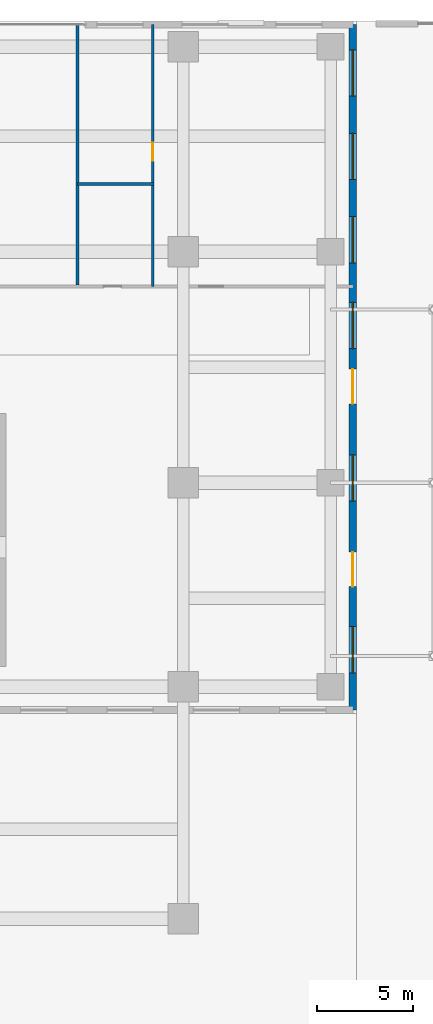
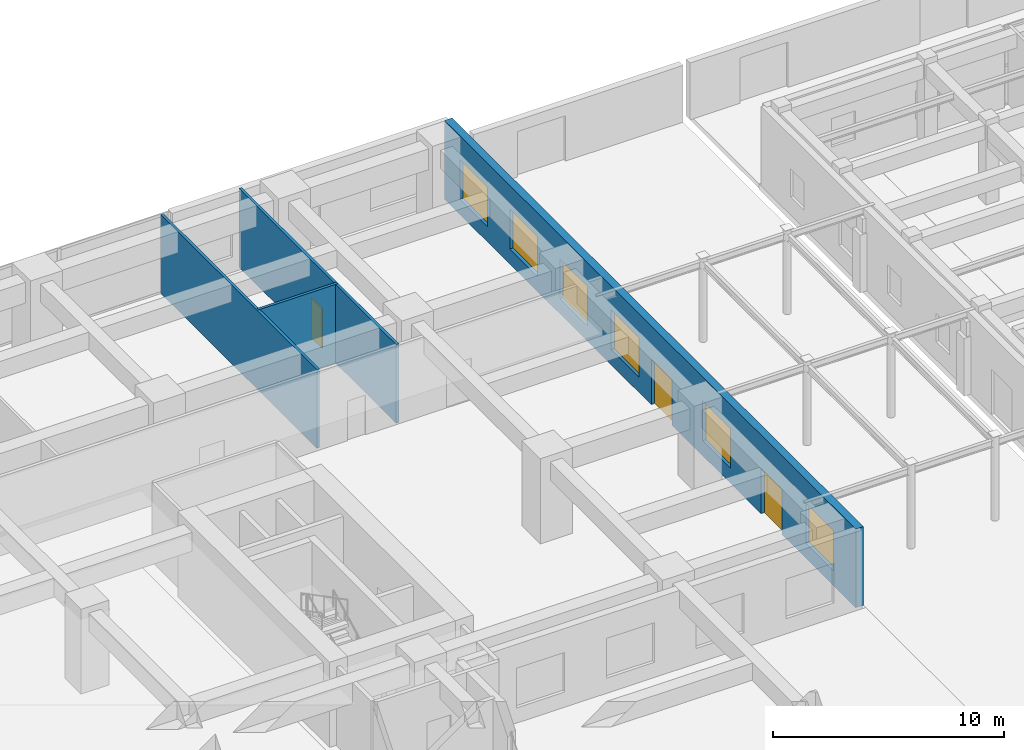
# One storey, part 26 of 39: 6 windows, 5 walls, 3 doors, 9 openings.
"""IFC4 building model written with IfcOpenShell, lengths in metres."""

import ifcopenshell
import ifcopenshell.guid

model = None  # the IFC model being written
_history = None  # IfcOwnerHistory: only IFC2X3 demands one
_inside = {}  # id of a spatial element -> (the spatial element, [elements in it])
_under = {}  # id of a project, library or spatial element -> (it, [spatial elements below it])
_declared = {}  # id of a project -> (the project, [libraries it declares])
_typed = {}  # id of a type object -> (the type object, [elements of that type])
_made_of = {}  # id of a material, layer set ... -> (it, [elements and type objects made of it])


def new_model(schema):
    """Start an empty IFC model of exactly this schema.

    Asked for "IFC4X3", IfcOpenShell would pick the latest addendum, in which some entities
    have other attributes; the version numbers below select the first issue.
    IFC2X3 requires an IfcOwnerHistory on every rooted entity: one is made here for all.
    """
    global model, _history
    if schema == "IFC4X3":
        model = ifcopenshell.file(schema_version=(4, 3, 0, 0))
    else:
        model = ifcopenshell.file(schema=schema)
    _inside.clear()
    _under.clear()
    _declared.clear()
    _typed.clear()
    _made_of.clear()
    _history = None
    if model.schema == "IFC2X3":
        org = make("IfcOrganization", Name="unknown")
        user = make(
            "IfcPersonAndOrganization",
            ThePerson=make("IfcPerson", FamilyName="unknown"),
            TheOrganization=org,
        )
        app = make(
            "IfcApplication",
            ApplicationDeveloper=org,
            Version="unknown",
            ApplicationFullName="unknown",
            ApplicationIdentifier="unknown",
        )
        _history = make(
            "IfcOwnerHistory",
            OwningUser=user,
            OwningApplication=app,
            ChangeAction="ADDED",
            CreationDate=0,
        )
    return model


def make(cls, **values):
    """One entity of the class cls with the attributes given. An attribute that is None is left unset."""
    return model.create_entity(
        cls, **{name: value for name, value in values.items() if value is not None}
    )


def rooted(cls, **values):
    """An entity with a GlobalId (a new one), such as an element, a storey or a relation."""
    return make(cls, GlobalId=ifcopenshell.guid.new(), OwnerHistory=_history, **values)


def si_unit(unit_type, name, prefix=None):
    """IfcSIUnit, for example si_unit("LENGTHUNIT", "METRE", prefix="MILLI")."""
    return make("IfcSIUnit", UnitType=unit_type, Prefix=prefix, Name=name)


def assignment(units):
    """IfcUnitAssignment: the units of a project."""
    return None if units is None else make("IfcUnitAssignment", Units=units)


def point(xyz):
    """IfcCartesianPoint."""
    return None if xyz is None else make("IfcCartesianPoint", Coordinates=xyz)


def direction(xyz):
    """IfcDirection."""
    return None if xyz is None else make("IfcDirection", DirectionRatios=xyz)


def frame(location, z_axis=None, x_axis=None):
    """IfcAxis2Placement3D, a coordinate frame: its origin and axes. An axis left out is left unset."""
    return make(
        "IfcAxis2Placement3D",
        Location=point(location),
        Axis=direction(z_axis),
        RefDirection=direction(x_axis),
    )


def frame_2d(location, x_axis=None):
    """IfcAxis2Placement2D, a coordinate frame in the plane: its origin and x axis."""
    return make(
        "IfcAxis2Placement2D", Location=point(location), RefDirection=direction(x_axis)
    )


def origin():
    """The frame at (0, 0, 0) with its axes left unset."""
    return frame((0.0, 0.0, 0.0))


def place(relative_to, where):
    """IfcLocalPlacement: puts the frame where relative to a parent placement (None: the world)."""
    return make(
        "IfcLocalPlacement", PlacementRelTo=relative_to, RelativePlacement=where
    )


def context(
    kind, dimensions, precision=None, world=None, true_north=None, identifier=None
):
    """IfcGeometricRepresentationContext, for example the 3D "Model" context."""
    return make(
        "IfcGeometricRepresentationContext",
        ContextIdentifier=identifier,
        ContextType=kind,
        CoordinateSpaceDimension=dimensions,
        Precision=precision,
        WorldCoordinateSystem=world,
        TrueNorth=true_north,
    )


def subcontext(parent, identifier, kind, view, scale=None):
    """IfcGeometricRepresentationSubContext, for example "Body" below "Model"."""
    return make(
        "IfcGeometricRepresentationSubContext",
        ContextIdentifier=identifier,
        ContextType=kind,
        ParentContext=parent,
        TargetScale=scale,
        TargetView=view,
    )


def project(units=None, contexts=None):
    """IfcProject with its units and contexts."""
    return rooted(
        "IfcProject",
        Name="project",
        RepresentationContexts=contexts,
        UnitsInContext=assignment(units),
    )


def spatial(cls, under=None, at=None, **own):
    """A site, building, storey or space (cls), placed at a placement, below another one or the project."""
    s = rooted(cls, ObjectPlacement=at, **own)
    if under is not None:
        _under.setdefault(under.id(), (under, []))[1].append(s)
    return s


def profile(cls, at=None, kind="AREA", **sizes):
    """A parametric profile (cls). Its sizes go by their IFC names, for example OverallWidth=200.0."""
    return make(cls, ProfileType=kind, Position=at, **sizes)


def rectangle(**sizes):
    """IfcRectangleProfileDef."""
    return profile("IfcRectangleProfileDef", **sizes)


def extrude(swept, where, along, depth):
    """IfcExtrudedAreaSolid: the profile swept, set in the frame where, extruded along a direction by depth."""
    return make(
        "IfcExtrudedAreaSolid",
        SweptArea=swept,
        Position=where,
        ExtrudedDirection=direction(along),
        Depth=depth,
    )


def shape(context_of_items, identifier, shape_type, items):
    """IfcShapeRepresentation: the items that make up one representation, for example the "Body"."""
    return make(
        "IfcShapeRepresentation",
        ContextOfItems=context_of_items,
        RepresentationIdentifier=identifier,
        RepresentationType=shape_type,
        Items=items,
    )


def source(mapping_origin, context_of_items, identifier, shape_type, items):
    """IfcRepresentationMap: a shape defined once, which mapped items show again and again."""
    return make(
        "IfcRepresentationMap",
        MappingOrigin=mapping_origin,
        MappedRepresentation=shape(context_of_items, identifier, shape_type, items),
    )


def transform(
    local_origin,
    x_axis=None,
    y_axis=None,
    z_axis=None,
    scale=None,
    scale2=None,
    scale3=None,
    uniform=True,
):
    """IfcCartesianTransformationOperator3D, or its non-uniform kind. x_axis, y_axis, z_axis: its Axis1, 2, 3."""
    if uniform:
        return make(
            "IfcCartesianTransformationOperator3D",
            Axis1=direction(x_axis),
            Axis2=direction(y_axis),
            LocalOrigin=point(local_origin),
            Scale=scale,
            Axis3=direction(z_axis),
        )
    return make(
        "IfcCartesianTransformationOperator3DnonUniform",
        Axis1=direction(x_axis),
        Axis2=direction(y_axis),
        LocalOrigin=point(local_origin),
        Scale=scale,
        Axis3=direction(z_axis),
        Scale2=scale2,
        Scale3=scale3,
    )


def mapped(mapping_source, mapping_target):
    """IfcMappedItem: shows the shape of a source again, moved by a transform."""
    return make(
        "IfcMappedItem", MappingSource=mapping_source, MappingTarget=mapping_target
    )


def material(Name=None, Category=None):
    """IfcMaterial."""
    return make("IfcMaterial", Name=Name, Category=Category)


def layer(
    of_material, thickness, ventilated=None, Name=None, Category=None, Priority=None
):
    """IfcMaterialLayer: one layer of a wall or slab, of a material (None: an air gap)."""
    return make(
        "IfcMaterialLayer",
        Material=of_material,
        LayerThickness=thickness,
        IsVentilated=ventilated,
        Name=Name,
        Category=Category,
        Priority=Priority,
    )


def layer_set(layers, Name=None):
    """IfcMaterialLayerSet."""
    return make("IfcMaterialLayerSet", MaterialLayers=layers, LayerSetName=Name)


def made_of(thing, what):
    """Note that an element or type object is made of a material, layer set ...; save() writes the relation."""
    if what is not None:
        _made_of.setdefault(what.id(), (what, []))[1].append(thing)
    return thing


def type_object(cls, material=None, **own):
    """A type object (cls), such as IfcWallType, which elements share."""
    return made_of(rooted(cls, **own), material)


def element(
    cls,
    number,
    at=None,
    inside=None,
    cuts=None,
    type_object=None,
    material=None,
    context=None,
    identifier="Body",
    shape_type=None,
    held_by="IfcProductDefinitionShape",
    body=None,
    shapes=None,
    **own,
):
    """One element of the class cls, such as IfcWall. Its Tag is "e" and its number.

    at: its placement. inside: the storey or other place that contains it. cuts: it is an
    opening in that element (IfcRelVoidsElement). A single representation is given by context,
    identifier, shape_type and body (its items); several are given by shapes. held_by: the class
    of the entity that holds the representations. save() writes the other relations.
    """
    e = rooted(cls, Tag="e%d" % number, ObjectPlacement=at, **own)
    if body is not None:
        shapes = [shape(context, identifier, shape_type, body)]
    if shapes is not None:
        e.Representation = make(held_by, Representations=shapes)
    if inside is not None:
        _inside.setdefault(inside.id(), (inside, []))[1].append(e)
    if cuts is not None:
        rooted(
            "IfcRelVoidsElement", RelatingBuildingElement=cuts, RelatedOpeningElement=e
        )
    if type_object is not None:
        _typed.setdefault(type_object.id(), (type_object, []))[1].append(e)
    return made_of(e, material)


def fill(opening, filler):
    """IfcRelFillsElement: the door or window that sits in an opening."""
    return rooted(
        "IfcRelFillsElement",
        RelatingOpeningElement=opening,
        RelatedBuildingElement=filler,
    )


def aggregate(whole, parts):
    """IfcRelAggregates: a whole, such as a stair, and the parts it consists of."""
    return rooted("IfcRelAggregates", RelatingObject=whole, RelatedObjects=parts)


def save(model, path):
    """Write the relations noted so far, then the file.

    IfcRelAggregates (storeys below a building ...), IfcRelContainedInSpatialStructure (elements
    in a storey), IfcRelDefinesByType, IfcRelAssociatesMaterial and IfcRelDeclares: one each for
    every whole, place, type object, material and project.
    """
    for whole, parts in _under.values():
        aggregate(whole, parts)
    for where, things in _inside.values():
        rooted(
            "IfcRelContainedInSpatialStructure",
            RelatedElements=things,
            RelatingStructure=where,
        )
    for kind, things in _typed.values():
        rooted("IfcRelDefinesByType", RelatedObjects=things, RelatingType=kind)
    for what, things in _made_of.values():
        rooted("IfcRelAssociatesMaterial", RelatedObjects=things, RelatingMaterial=what)
    for by, libraries in _declared.values():
        rooted("IfcRelDeclares", RelatingContext=by, RelatedDefinitions=libraries)
    model.write(path)


model = new_model("IFC4")

# Units and contexts
model_context = context("Model", 3, precision=1e-05, world=origin(), true_north=direction((0.0, 1.0)))
body_context = subcontext(model_context, "Body", "Model", "MODEL_VIEW")
ifc_project = project(units=[si_unit("LENGTHUNIT", "METRE"), si_unit("AREAUNIT", "SQUARE_METRE"), si_unit("VOLUMEUNIT", "CUBIC_METRE"), si_unit("PLANEANGLEUNIT", "RADIAN"), si_unit("MASSUNIT", "GRAM", prefix="KILO")], contexts=[model_context])

# Site, building, storey
site_placement = place(None, origin())
site = spatial("IfcSite", under=ifc_project, at=site_placement, CompositionType="ELEMENT")
building_placement = place(site_placement, origin())
building = spatial("IfcBuilding", under=site, at=building_placement, Name="Khoralis Quay Care Tower", CompositionType="ELEMENT")
storey_placement = place(building_placement, origin())
storey = spatial("IfcBuildingStorey", under=building, at=storey_placement, Name="L00", CompositionType="ELEMENT", Elevation=0.0)

# Wall, openings, windows, doors
ifc_material_1 = material(Name="Precast concrete C45/55", Category="concrete")
ifc_layer_1 = layer(ifc_material_1, 0.3798828125)
ifc_layer_set_1 = layer_set([ifc_layer_1], Name="Precast concrete C45/55")
wall_type_1 = type_object("IfcWallType", Name="WL-EXT-POD-380", PredefinedType="SOLIDWALL", material=ifc_layer_set_1)
wall_1_placement = place(storey_placement, frame((55.81005859375, 12.18994140625, 0.0), z_axis=(0.0, 0.0, 1.0), x_axis=(0.0, 1.0, 0.0)))
wall_1 = element("IfcWall", 1, at=wall_1_placement, inside=storey, type_object=wall_type_1, Name="L00 External Facade Wall WL-POD-L00-E3", PredefinedType="SOLIDWALL", context=body_context, shape_type="SweptSolid", body=[
    extrude(rectangle(XDim=35.6201171875, YDim=0.3798828125, at=frame_2d((17.81005859375, 0.0))), origin(), (0.0, 0.0, 1.0), 4.159912109375),
])
opening_1_placement = place(wall_1_placement, frame((1.93505859375, 0.0, 0.800048828125)))
opening_1 = element("IfcOpeningElement", 2, at=opening_1_placement, cuts=wall_1, Name="Opening W1", PredefinedType="OPENING", context=body_context, shape_type="SweptSolid", body=[
    extrude(rectangle(XDim=2.39990234375, YDim=2.10009765625, at=frame_2d((1.199951171875, 1.050048828125))), frame((0.0, 0.199951171875, 0.0), z_axis=(0.0, -1.0, 0.0), x_axis=(1.0, 0.0, 0.0)), (0.0, 0.0, 1.0), 0.39990234375),
])
opening_2_placement = place(wall_1_placement, frame((10.860107421875, 0.0, 0.800048828125)))
opening_2 = element("IfcOpeningElement", 3, at=opening_2_placement, cuts=wall_1, Name="Opening W1", PredefinedType="OPENING", context=body_context, shape_type="SweptSolid", body=[
    extrude(rectangle(XDim=2.39990234375, YDim=2.10009765625, at=frame_2d((1.199951171875, 1.050048828125))), frame((0.0, 0.199951171875, 0.0), z_axis=(0.0, -1.0, 0.0), x_axis=(1.0, 0.0, 0.0)), (0.0, 0.0, 1.0), 0.39990234375),
])
opening_3_placement = place(wall_1_placement, frame((18.780029296875, 0.0, 0.800048828125)))
opening_3 = element("IfcOpeningElement", 4, at=opening_3_placement, cuts=wall_1, Name="Opening W1", PredefinedType="OPENING", context=body_context, shape_type="SweptSolid", body=[
    extrude(rectangle(XDim=2.39990234375, YDim=2.10009765625, at=frame_2d((1.199951171875, 1.050048828125))), frame((0.0, 0.199951171875, 0.0), z_axis=(0.0, -1.0, 0.0), x_axis=(1.0, 0.0, 0.0)), (0.0, 0.0, 1.0), 0.39990234375),
])
opening_4_placement = place(wall_1_placement, frame((23.235107421875, 0.0, 0.800048828125)))
opening_4 = element("IfcOpeningElement", 5, at=opening_4_placement, cuts=wall_1, Name="Opening W1", PredefinedType="OPENING", context=body_context, shape_type="SweptSolid", body=[
    extrude(rectangle(XDim=2.39990234375, YDim=2.10009765625, at=frame_2d((1.199951171875, 1.050048828125))), frame((0.0, 0.199951171875, 0.0), z_axis=(0.0, -1.0, 0.0), x_axis=(1.0, 0.0, 0.0)), (0.0, 0.0, 1.0), 0.39990234375),
])
opening_5_placement = place(wall_1_placement, frame((27.56494140625, 0.0, 0.800048828125)))
opening_5 = element("IfcOpeningElement", 6, at=opening_5_placement, cuts=wall_1, Name="Opening W1", PredefinedType="OPENING", context=body_context, shape_type="SweptSolid", body=[
    extrude(rectangle(XDim=2.39990234375, YDim=2.10009765625, at=frame_2d((1.199951171875, 1.050048828125))), frame((0.0, 0.199951171875, 0.0), z_axis=(0.0, -1.0, 0.0), x_axis=(1.0, 0.0, 0.0)), (0.0, 0.0, 1.0), 0.39990234375),
])
opening_6_placement = place(wall_1_placement, frame((31.89501953125, 0.0, 0.800048828125)))
opening_6 = element("IfcOpeningElement", 7, at=opening_6_placement, cuts=wall_1, Name="Opening W1", PredefinedType="OPENING", context=body_context, shape_type="SweptSolid", body=[
    extrude(rectangle(XDim=2.39990234375, YDim=2.10009765625, at=frame_2d((1.199951171875, 1.050048828125))), frame((0.0, 0.199951171875, 0.0), z_axis=(0.0, -1.0, 0.0), x_axis=(1.0, 0.0, 0.0)), (0.0, 0.0, 1.0), 0.39990234375),
])
opening_7_placement = place(wall_1_placement, frame((6.409912109375, 0.0, 0.0)))
opening_7 = element("IfcOpeningElement", 8, at=opening_7_placement, cuts=wall_1, Name="Opening ED1", PredefinedType="OPENING", context=body_context, shape_type="SweptSolid", body=[
    extrude(rectangle(XDim=1.800048828125, YDim=2.39990234375, at=frame_2d((0.89990234375, 1.199951171875))), frame((0.0, 0.199951171875, 0.0), z_axis=(0.0, -1.0, 0.0), x_axis=(1.0, 0.0, 0.0)), (0.0, 0.0, 1.0), 0.39990234375),
])
opening_8_placement = place(wall_1_placement, frame((15.909912109375, 0.0, 0.0)))
opening_8 = element("IfcOpeningElement", 9, at=opening_8_placement, cuts=wall_1, Name="Opening ED1", PredefinedType="OPENING", context=body_context, shape_type="SweptSolid", body=[
    extrude(rectangle(XDim=1.800048828125, YDim=2.39990234375, at=frame_2d((0.89990234375, 1.199951171875))), frame((0.0, 0.199951171875, 0.0), z_axis=(0.0, -1.0, 0.0), x_axis=(1.0, 0.0, 0.0)), (0.0, 0.0, 1.0), 0.39990234375),
])
ifc_material_2 = material(Name="Low-E solar-control double glazing", Category="glass")
window_type = type_object("IfcWindowType", Name="WN-POD-2400X2100", PartitioningType="SINGLE_PANEL", PredefinedType="WINDOW", material=ifc_material_2)
shared_shape_1 = source(origin(), body_context, "Body", "SweptSolid", [
    extrude(rectangle(XDim=2.39990234375, YDim=2.10009765625, at=frame_2d((1.199951171875, 1.050048828125))), frame((0.0, 0.030029296875, 0.0), z_axis=(0.0, -1.0, 0.0), x_axis=(1.0, 0.0, 0.0)), (0.0, 0.0, 1.0), 0.06005859375),
])
window_1_placement = place(opening_1_placement, origin())
window_1 = element("IfcWindow", 10, at=window_1_placement, inside=storey, type_object=window_type, Name="WN-POD-L00-E3 Facade Window 01", OverallHeight=2.10009765625, OverallWidth=2.39990234375, PartitioningType="SINGLE_PANEL", PredefinedType="WINDOW", context=body_context, shape_type="MappedRepresentation", body=[
    mapped(shared_shape_1, transform((0.0, 0.0, 0.0), scale=1.0)),
])
fill(opening_1, window_1)
window_2_placement = place(opening_2_placement, origin())
window_2 = element("IfcWindow", 11, at=window_2_placement, inside=storey, type_object=window_type, Name="WN-POD-L00-E3 Facade Window 02", OverallHeight=2.10009765625, OverallWidth=2.39990234375, PartitioningType="SINGLE_PANEL", PredefinedType="WINDOW", context=body_context, shape_type="MappedRepresentation", body=[
    mapped(shared_shape_1, transform((0.0, 0.0, 0.0), scale=1.0)),
])
fill(opening_2, window_2)
window_3_placement = place(opening_3_placement, origin())
window_3 = element("IfcWindow", 12, at=window_3_placement, inside=storey, type_object=window_type, Name="WN-POD-L00-E3 Facade Window 03", OverallHeight=2.10009765625, OverallWidth=2.39990234375, PartitioningType="SINGLE_PANEL", PredefinedType="WINDOW", context=body_context, shape_type="MappedRepresentation", body=[
    mapped(shared_shape_1, transform((0.0, 0.0, 0.0), scale=1.0)),
])
fill(opening_3, window_3)
window_4_placement = place(opening_4_placement, origin())
window_4 = element("IfcWindow", 13, at=window_4_placement, inside=storey, type_object=window_type, Name="WN-POD-L00-E3 Facade Window 04", OverallHeight=2.10009765625, OverallWidth=2.39990234375, PartitioningType="SINGLE_PANEL", PredefinedType="WINDOW", context=body_context, shape_type="MappedRepresentation", body=[
    mapped(shared_shape_1, transform((0.0, 0.0, 0.0), scale=1.0)),
])
fill(opening_4, window_4)
window_5_placement = place(opening_5_placement, origin())
window_5 = element("IfcWindow", 14, at=window_5_placement, inside=storey, type_object=window_type, Name="WN-POD-L00-E3 Facade Window 05", OverallHeight=2.10009765625, OverallWidth=2.39990234375, PartitioningType="SINGLE_PANEL", PredefinedType="WINDOW", context=body_context, shape_type="MappedRepresentation", body=[
    mapped(shared_shape_1, transform((0.0, 0.0, 0.0), scale=1.0)),
])
fill(opening_5, window_5)
window_6_placement = place(opening_6_placement, origin())
window_6 = element("IfcWindow", 15, at=window_6_placement, inside=storey, type_object=window_type, Name="WN-POD-L00-E3 Facade Window 06", OverallHeight=2.10009765625, OverallWidth=2.39990234375, PartitioningType="SINGLE_PANEL", PredefinedType="WINDOW", context=body_context, shape_type="MappedRepresentation", body=[
    mapped(shared_shape_1, transform((0.0, 0.0, 0.0), scale=1.0)),
])
fill(opening_6, window_6)
ifc_material_3 = material(Name="Anodised aluminium and laminated safety glass", Category="aluminium")
door_type_1 = type_object("IfcDoorType", Name="DR-EXT-1800X2400", OperationType="NOTDEFINED", PredefinedType="DOOR", material=ifc_material_3)
shared_shape_2 = source(origin(), body_context, "Body", "SweptSolid", [
    extrude(rectangle(XDim=1.800048828125, YDim=2.39990234375, at=frame_2d((0.89990234375, 1.199951171875))), frame((0.0, 0.02490234375, 0.0), z_axis=(0.0, -1.0, 0.0), x_axis=(1.0, 0.0, 0.0)), (0.0, 0.0, 1.0), 0.050048828125),
])
door_1_placement = place(opening_7_placement, frame((1.800048828125, 0.0, 0.0), z_axis=(0.0, 0.0, 1.0), x_axis=(-1.0, 0.0, 0.0)))
door_1 = element("IfcDoor", 16, at=door_1_placement, inside=storey, type_object=door_type_1, Name="Inter-Block Plaza Entrance Door 1", OperationType="DOUBLE_DOOR_SINGLE_SWING", OverallHeight=2.39990234375, OverallWidth=1.800048828125, PredefinedType="DOOR", context=body_context, shape_type="MappedRepresentation", body=[
    mapped(shared_shape_2, transform((0.0, 0.0, 0.0), scale=1.0)),
])
fill(opening_7, door_1)
door_2_placement = place(opening_8_placement, frame((1.800048828125, 0.0, 0.0), z_axis=(0.0, 0.0, 1.0), x_axis=(-1.0, 0.0, 0.0)))
door_2 = element("IfcDoor", 17, at=door_2_placement, inside=storey, type_object=door_type_1, Name="Inter-Block Plaza Entrance Door 2", OperationType="DOUBLE_DOOR_SINGLE_SWING", OverallHeight=2.39990234375, OverallWidth=1.800048828125, PredefinedType="DOOR", context=body_context, shape_type="MappedRepresentation", body=[
    mapped(shared_shape_2, transform((0.0, 0.0, 0.0), scale=1.0)),
])
fill(opening_8, door_2)

# Walls
ifc_material_4 = material(Name="Moisture-resistant gypsum and ceramic tile")
ifc_layer_2 = layer(ifc_material_4, 0.280029296875)
ifc_layer_set_2 = layer_set([ifc_layer_2], Name="Moisture-resistant gypsum and ceramic tile")
wall_type_2 = type_object("IfcWallType", Name="WL-PLUMB-280", PredefinedType="PLUMBINGWALL", material=ifc_layer_set_2)
wall_2_placement = place(storey_placement, frame((45.419921875, 34.199951171875, 0.0), z_axis=(0.0, 0.0, 1.0), x_axis=(0.0, 1.0, 0.0)))
element("IfcWall", 18, at=wall_2_placement, inside=storey, type_object=wall_type_2, Name="L00 Podium WC East Partition", PredefinedType="PLUMBINGWALL", context=body_context, shape_type="SweptSolid", body=[
    extrude(rectangle(XDim=5.320068359375, YDim=0.139892578125, at=frame_2d((2.66015625, 0.0))), origin(), (0.0, 0.0, 1.0), 4.159912109375),
])
wall_3_placement = place(storey_placement, frame((41.5, 39.52001953125, 0.0), z_axis=(0.0, 0.0, 1.0), x_axis=(1.0, 0.0, 0.0)))
element("IfcWall", 19, at=wall_3_placement, inside=storey, type_object=wall_type_2, Name="L00 Podium WC North Partition", PredefinedType="PLUMBINGWALL", context=body_context, shape_type="SweptSolid", body=[
    extrude(rectangle(XDim=3.989990234375, YDim=0.139892578125, at=frame_2d((1.9951171875, 0.0))), origin(), (0.0, 0.0, 1.0), 4.159912109375),
])
ifc_material_5 = material(Name="Gypsum plasterboard on acoustic metal stud")
ifc_layer_3 = layer(ifc_material_5, 0.139892578125)
ifc_layer_set_3 = layer_set([ifc_layer_3], Name="Gypsum plasterboard on acoustic metal stud")
wall_type_3 = type_object("IfcWallType", Name="WL-UNIT-140", PredefinedType="PARTITIONING", material=ifc_layer_set_3)
wall_4_placement = place(storey_placement, frame((41.5, 34.277587890625, 0.0), z_axis=(0.0, 0.0, 1.0), x_axis=(0.0, 1.0, 0.0)))
element("IfcWall", 20, at=wall_4_placement, inside=storey, type_object=wall_type_3, Name="L00 Podium North Split 3", PredefinedType="PARTITIONING", context=body_context, shape_type="SweptSolid", body=[
    extrude(rectangle(XDim=13.537353515625, YDim=0.139892578125, at=frame_2d((6.7685546875, 0.0))), origin(), (0.0, 0.0, 1.0), 4.159912109375),
])

# Wall, opening, door
wall_5_placement = place(storey_placement, frame((45.419921875, 39.52001953125, 0.0), z_axis=(0.0, 0.0, 1.0), x_axis=(0.0, 1.0, 0.0)))
wall_5 = element("IfcWall", 21, at=wall_5_placement, inside=storey, type_object=wall_type_3, Name="L00 Podium Store Partition", PredefinedType="PARTITIONING", context=body_context, shape_type="SweptSolid", body=[
    extrude(rectangle(XDim=8.294921875, YDim=0.139892578125, at=frame_2d((4.1474609375, 0.0))), origin(), (0.0, 0.0, 1.0), 4.159912109375),
])
opening_9_placement = place(wall_5_placement, frame((1.199951171875, 0.0, 0.0)))
opening_9 = element("IfcOpeningElement", 22, at=opening_9_placement, cuts=wall_5, Name="Opening ID1", PredefinedType="OPENING", context=body_context, shape_type="SweptSolid", body=[
    extrude(rectangle(XDim=0.949951171875, YDim=2.10009765625, at=frame_2d((0.47509765625, 1.050048828125))), frame((0.0, 0.080078125, 0.0), z_axis=(0.0, -1.0, 0.0), x_axis=(1.0, 0.0, 0.0)), (0.0, 0.0, 1.0), 0.159912109375),
])
ifc_material_6 = material(Name="Acoustic hardwood timber", Category="wood")
door_type_2 = type_object("IfcDoorType", Name="DR-ROOM-950X2100", OperationType="NOTDEFINED", PredefinedType="DOOR", material=ifc_material_6)
shared_shape_3 = source(origin(), body_context, "Body", "SweptSolid", [
    extrude(rectangle(XDim=0.949951171875, YDim=2.10009765625, at=frame_2d((0.47509765625, 1.050048828125))), frame((0.0, 0.02490234375, 0.0), z_axis=(0.0, -1.0, 0.0), x_axis=(1.0, 0.0, 0.0)), (0.0, 0.0, 1.0), 0.050048828125),
])
door_3_placement = place(opening_9_placement, frame((0.949951171875, 0.0, 0.0), z_axis=(0.0, 0.0, 1.0), x_axis=(-1.0, 0.0, 0.0)))
door_3 = element("IfcDoor", 23, at=door_3_placement, inside=storey, type_object=door_type_2, Name="L00 Sterile Archive Door", OperationType="SINGLE_SWING_LEFT", OverallHeight=2.10009765625, OverallWidth=0.949951171875, PredefinedType="DOOR", context=body_context, shape_type="MappedRepresentation", body=[
    mapped(shared_shape_3, transform((0.0, 0.0, 0.0), scale=1.0)),
])
fill(opening_9, door_3)

save(model, "model.ifc")
